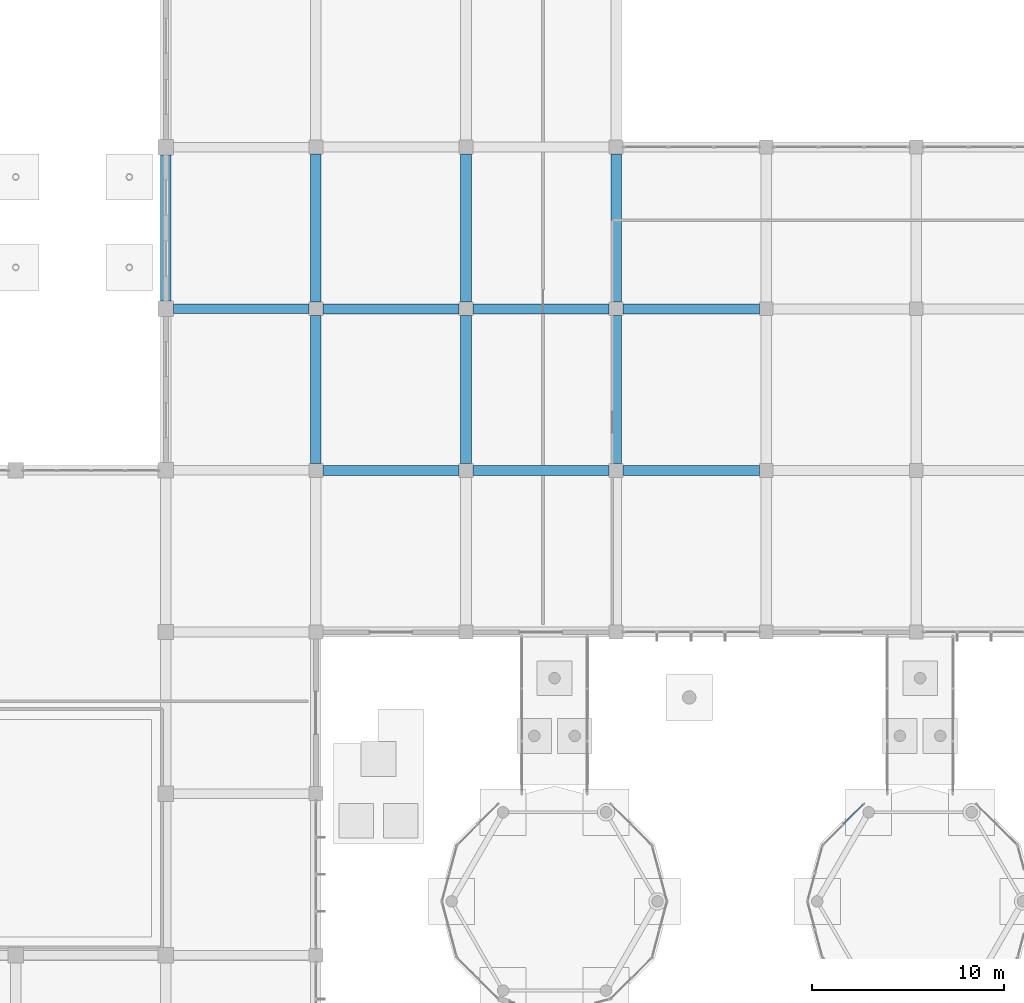
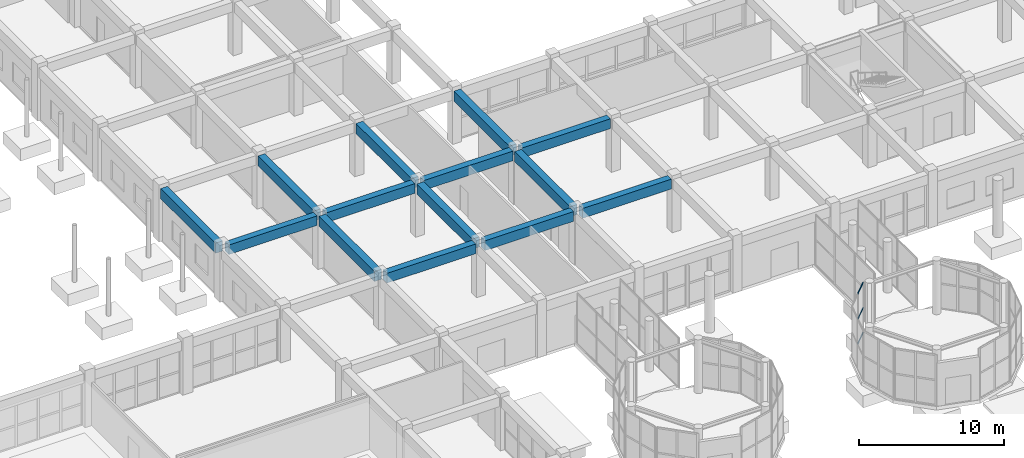
# One storey, part 60 of 139: 14 beams, 3 members, 1 element without a shape of its own.
"""IFC4 building model written with IfcOpenShell, lengths in metres."""

from ifc_helpers import new_model, si_unit, direction, frame, origin, origin_2d, place, context, subcontext, project, spatial, rectangle, hollow_rectangle, extrude, material, layer, layer_set, material_profile, profile_set, type_object, element, aggregate, save


model = new_model("IFC4")

# Units and contexts
model_context = context("Model", 3, precision=1e-05, world=origin(), true_north=direction((0.0, 1.0)))
body_context = subcontext(model_context, "Body", "Model", "MODEL_VIEW")
ifc_project = project(units=[si_unit("LENGTHUNIT", "METRE"), si_unit("AREAUNIT", "SQUARE_METRE"), si_unit("VOLUMEUNIT", "CUBIC_METRE"), si_unit("PLANEANGLEUNIT", "RADIAN"), si_unit("MASSUNIT", "GRAM", prefix="KILO")], contexts=[model_context])

# Site, building, storey
site_placement = place(None, origin())
site = spatial("IfcSite", under=ifc_project, at=site_placement, CompositionType="ELEMENT")
building_placement = place(site_placement, origin())
building = spatial("IfcBuilding", under=site, at=building_placement, Name="Zizhar Promenade General Hospital", CompositionType="ELEMENT")
storey_placement = place(building_placement, origin())
storey = spatial("IfcBuildingStorey", under=building, at=storey_placement, Name="L00", CompositionType="ELEMENT", Elevation=0.0)

# Beams
ifc_material_1 = material(Name="Concrete C35/45", Category="concrete")
ifc_material_profile_1 = material_profile(ifc_material_1, rectangle(XDim=0.5, YDim=0.800048828125, at=origin_2d()))
ifc_profile_set_1 = profile_set([ifc_material_profile_1], Name="Concrete C35/45")
beam_type_1 = type_object("IfcBeamType", Name="BM-RC-500x800", PredefinedType="BEAM", material=ifc_profile_set_1)
beam_1_placement = place(storey_placement, frame((125.199951171875, 58.800048828125, 4.070068359375), z_axis=(1.0, 0.0, 0.0), x_axis=(0.0, 1.0, 0.0)))
element("IfcBeam", 1, at=beam_1_placement, inside=storey, type_object=beam_type_1, Name="Grid Beam X L00 (16-7)", PredefinedType="BEAM", context=body_context, shape_type="SweptSolid", body=[
    extrude(rectangle(XDim=0.5, YDim=0.800048828125, at=origin_2d()), origin(), (0.0, 0.0, 1.0), 7.0400390625),
])
ifc_material_2 = material(Name="Concrete C35/45", Category="concrete")
ifc_material_profile_2 = material_profile(ifc_material_2, rectangle(XDim=0.52001953125, YDim=0.820068359375, at=origin_2d()))
ifc_profile_set_2 = profile_set([ifc_material_profile_2], Name="Concrete C35/45")
beam_type_2 = type_object("IfcBeamType", Name="BM-RC-520x820", PredefinedType="BEAM", material=ifc_profile_set_2)
for number, where, z_axis, x_axis, name in (
    (2, (132.9599609375, 50.39990234375, 4.06005859375), (1.0, 0.0, 0.0), (0.0, 1.0, 0.0), "Grid Beam X L00 (17-6)"),
    (3, (132.9599609375, 58.800048828125, 4.06005859375), (1.0, 0.0, 0.0), (0.0, 1.0, 0.0), "Grid Beam X L00 (17-7)"),
    (4, (140.760009765625, 50.39990234375, 4.06005859375), (1.0, 0.0, 0.0), (0.0, 1.0, 0.0), "Grid Beam X L00 (18-6)"),
    (5, (140.760009765625, 58.800048828125, 4.06005859375), (1.0, 0.0, 0.0), (0.0, 1.0, 0.0), "Grid Beam X L00 (18-7)"),
):
    element("IfcBeam", number, at=place(storey_placement, frame(where, z_axis=z_axis, x_axis=x_axis)), inside=storey, type_object=beam_type_2, Name=name, PredefinedType="BEAM", context=body_context, shape_type="SweptSolid", body=[
        extrude(rectangle(XDim=0.52001953125, YDim=0.820068359375, at=origin_2d()), origin(), (0.0, 0.0, 1.0), 7.080078125),
    ])
for number, where, z_axis, x_axis, name in (
    (6, (148.56005859375, 50.39990234375, 4.06005859375), (1.0, 0.0, 0.0), (0.0, 1.0, 0.0), "Grid Beam X L00 (19-6)"),
    (7, (148.56005859375, 58.800048828125, 4.06005859375), (1.0, 0.0, 0.0), (0.0, 1.0, 0.0), "Grid Beam X L00 (19-7)"),
):
    element("IfcBeam", number, at=place(storey_placement, frame(where, z_axis=z_axis, x_axis=x_axis)), inside=storey, type_object=beam_type_2, Name=name, PredefinedType="BEAM", context=body_context, shape_type="SweptSolid", body=[
        extrude(rectangle(XDim=0.52001953125, YDim=0.820068359375, at=origin_2d()), origin(), (0.0, 0.0, 1.0), 7.079833984375),
    ])
ifc_material_3 = material(Name="Concrete C35/45", Category="concrete")
ifc_material_profile_3 = material_profile(ifc_material_3, rectangle(XDim=0.550048828125, YDim=0.85009765625, at=origin_2d()))
ifc_profile_set_3 = profile_set([ifc_material_profile_3], Name="Concrete C35/45")
beam_type_3 = type_object("IfcBeamType", Name="BM-RC-550x850", PredefinedType="BEAM", material=ifc_profile_set_3)
beam_2_placement = place(storey_placement, frame((124.800048828125, 59.199951171875, 4.044921875), z_axis=(0.0, 1.0, 0.0), x_axis=(-1.0, 0.0, 0.0)))
element("IfcBeam", 8, at=beam_2_placement, inside=storey, type_object=beam_type_3, Name="Grid Beam Y L00 (16-7)", PredefinedType="BEAM", context=body_context, shape_type="SweptSolid", body=[
    extrude(rectangle(XDim=0.550048828125, YDim=0.85009765625, at=origin_2d()), origin(), (0.0, 0.0, 1.0), 7.60009765625),
])
beam_3_placement = place(storey_placement, frame((132.60009765625, 50.760009765625, 4.044921875), z_axis=(0.0, 1.0, 0.0), x_axis=(-1.0, 0.0, 0.0)))
element("IfcBeam", 9, at=beam_3_placement, inside=storey, type_object=beam_type_3, Name="Grid Beam Y L00 (17-6)", PredefinedType="BEAM", context=body_context, shape_type="SweptSolid", body=[
    extrude(rectangle(XDim=0.550048828125, YDim=0.85009765625, at=origin_2d()), origin(), (0.0, 0.0, 1.0), 7.679931640625),
])
beam_4_placement = place(storey_placement, frame((132.60009765625, 59.159912109375, 4.044921875), z_axis=(0.0, 1.0, 0.0), x_axis=(-1.0, 0.0, 0.0)))
element("IfcBeam", 10, at=beam_4_placement, inside=storey, type_object=beam_type_3, Name="Grid Beam Y L00 (17-7)", PredefinedType="BEAM", context=body_context, shape_type="SweptSolid", body=[
    extrude(rectangle(XDim=0.550048828125, YDim=0.85009765625, at=origin_2d()), origin(), (0.0, 0.0, 1.0), 7.68017578125),
])
beam_5_placement = place(storey_placement, frame((140.39990234375, 50.760009765625, 4.044921875), z_axis=(0.0, 1.0, 0.0), x_axis=(-1.0, 0.0, 0.0)))
element("IfcBeam", 11, at=beam_5_placement, inside=storey, type_object=beam_type_3, Name="Grid Beam Y L00 (18-6)", PredefinedType="BEAM", context=body_context, shape_type="SweptSolid", body=[
    extrude(rectangle(XDim=0.550048828125, YDim=0.85009765625, at=origin_2d()), origin(), (0.0, 0.0, 1.0), 7.679931640625),
])
beam_6_placement = place(storey_placement, frame((140.39990234375, 59.159912109375, 4.044921875), z_axis=(0.0, 1.0, 0.0), x_axis=(-1.0, 0.0, 0.0)))
element("IfcBeam", 12, at=beam_6_placement, inside=storey, type_object=beam_type_3, Name="Grid Beam Y L00 (18-7)", PredefinedType="BEAM", context=body_context, shape_type="SweptSolid", body=[
    extrude(rectangle(XDim=0.550048828125, YDim=0.85009765625, at=origin_2d()), origin(), (0.0, 0.0, 1.0), 7.68017578125),
])
beam_7_placement = place(storey_placement, frame((148.199951171875, 50.760009765625, 4.044921875), z_axis=(0.0, 1.0, 0.0), x_axis=(-1.0, 0.0, 0.0)))
element("IfcBeam", 13, at=beam_7_placement, inside=storey, type_object=beam_type_3, Name="Grid Beam Y L00 (19-6)", PredefinedType="BEAM", context=body_context, shape_type="SweptSolid", body=[
    extrude(rectangle(XDim=0.550048828125, YDim=0.85009765625, at=origin_2d()), origin(), (0.0, 0.0, 1.0), 7.679931640625),
])
beam_8_placement = place(storey_placement, frame((148.199951171875, 59.159912109375, 4.044921875), z_axis=(0.0, 1.0, 0.0), x_axis=(-1.0, 0.0, 0.0)))
element("IfcBeam", 14, at=beam_8_placement, inside=storey, type_object=beam_type_3, Name="Grid Beam Y L00 (19-7)", PredefinedType="BEAM", context=body_context, shape_type="SweptSolid", body=[
    extrude(rectangle(XDim=0.550048828125, YDim=0.85009765625, at=origin_2d()), origin(), (0.0, 0.0, 1.0), 7.68017578125),
])

# Curtain wall, members
ifc_material_4 = material(Name="Anodised aluminium 6063-T6 and low-E glass", Category="aluminium")
ifc_layer = layer(ifc_material_4, 0.159912109375)
ifc_layer_set = layer_set([ifc_layer], Name="Anodised aluminium 6063-T6 and low-E glass")
curtain_wall_type = type_object("IfcCurtainWallType", Name="CW-PAV-GLZ", PredefinedType="NOTDEFINED", material=ifc_layer_set)
curtain_wall_placement = place(storey_placement, origin())
curtain_wall = element("IfcCurtainWall", 15, at=curtain_wall_placement, inside=storey, type_object=curtain_wall_type, Name="Pharmacy Collection Pavilion Curved Glazing 5", PredefinedType="NOTDEFINED")
ifc_material_5 = material(Name="Anodised aluminium 6063-T6", Category="aluminium")
ifc_material_profile_4 = material_profile(ifc_material_5, hollow_rectangle(XDim=0.06005859375, YDim=0.1201171875, WallThickness=0.00390625, at=origin_2d()))
ifc_profile_set_4 = profile_set([ifc_material_profile_4], Name="Anodised aluminium 6063-T6")
member_type = type_object("IfcMemberType", Name="CWT-ALU-120x60", PredefinedType="USERDEFINED", material=ifc_profile_set_4)
member_1_placement = place(storey_placement, frame((160.025634765625, 32.016845703125, 0.030029296875), z_axis=(0.707106781187, 0.707106781187, 0.0), x_axis=(-0.707106781187, 0.707106781187, 0.0)))
member_1 = element("IfcMember", 16, at=member_1_placement, type_object=member_type, Name="CW-14 transom 2.1", ObjectType="TRANSOM", PredefinedType="USERDEFINED", context=body_context, shape_type="SweptSolid", body=[
    extrude(hollow_rectangle(XDim=0.06005859375, YDim=0.1201171875, WallThickness=0.00390625, at=origin_2d()), origin(), (0.0, 0.0, 1.0), 1.423828125),
])
member_2_placement = place(storey_placement, frame((160.025634765625, 32.016845703125, 2.139892578125), z_axis=(0.707106781187, 0.707106781187, 0.0), x_axis=(-0.707106781187, 0.707106781187, 0.0)))
member_2 = element("IfcMember", 17, at=member_2_placement, type_object=member_type, Name="CW-14 transom 2.2", ObjectType="TRANSOM", PredefinedType="USERDEFINED", context=body_context, shape_type="SweptSolid", body=[
    extrude(hollow_rectangle(XDim=0.06005859375, YDim=0.1201171875, WallThickness=0.00390625, at=origin_2d()), origin(), (0.0, 0.0, 1.0), 1.423828125),
])
member_3_placement = place(storey_placement, frame((160.025634765625, 32.016845703125, 4.25), z_axis=(0.707106781187, 0.707106781187, 0.0), x_axis=(-0.707106781187, 0.707106781187, 0.0)))
member_3 = element("IfcMember", 18, at=member_3_placement, type_object=member_type, Name="CW-14 transom 2.3", ObjectType="TRANSOM", PredefinedType="USERDEFINED", context=body_context, shape_type="SweptSolid", body=[
    extrude(hollow_rectangle(XDim=0.06005859375, YDim=0.1201171875, WallThickness=0.00390625, at=origin_2d()), origin(), (0.0, 0.0, 1.0), 1.423828125),
])
aggregate(curtain_wall, [member_1, member_2, member_3])

save(model, "model.ifc")
